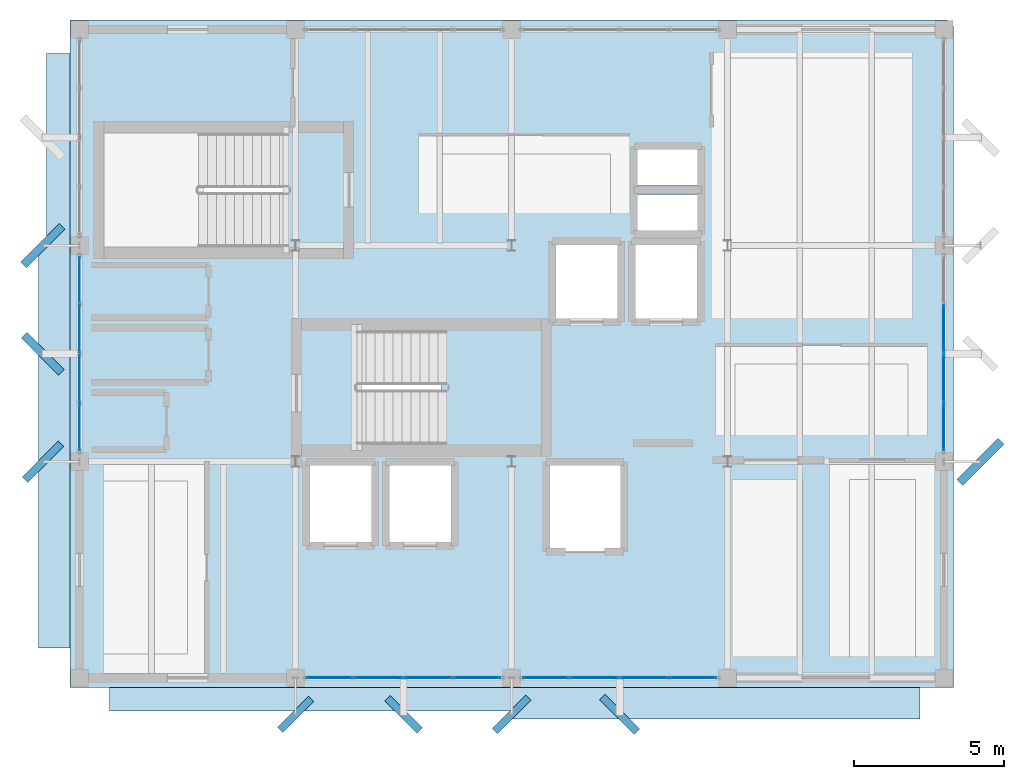
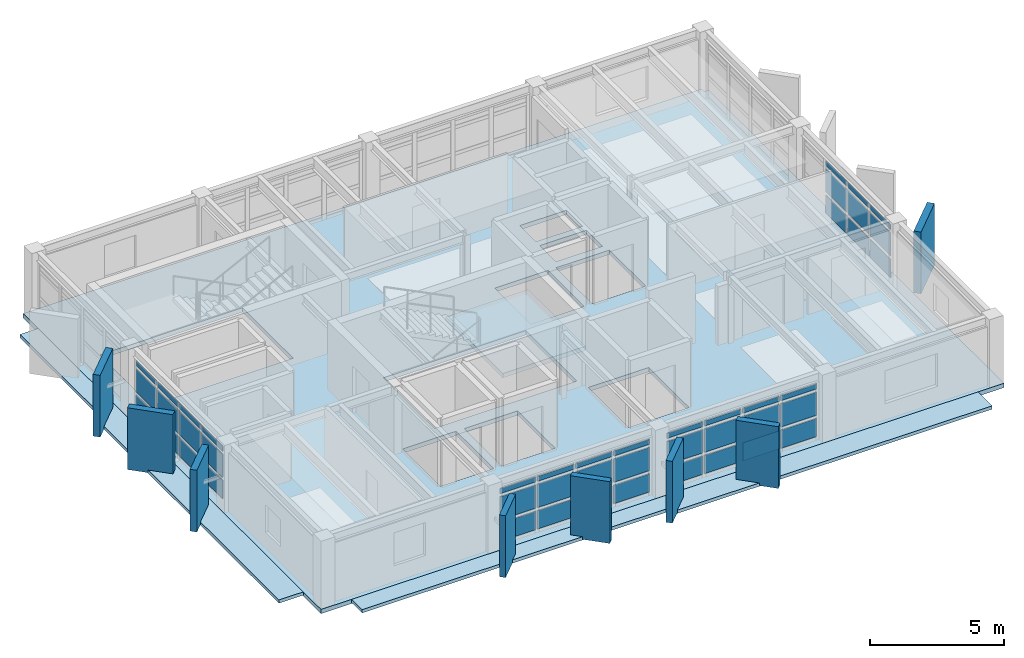
# One storey, part 9 of 15: 53 plates, 4 slabs, 5 elements without a shape of their own.
"""IFC4 building model written with IfcOpenShell, lengths in metres."""

from ifc_helpers import new_model, si_unit, direction, frame, origin, origin_2d, place, context, subcontext, project, spatial, polyline, rectangle, outline, extrude, material, layer, layer_set, type_object, element, aggregate, save


model = new_model("IFC4")

# Units and contexts
model_context = context("Model", 3, precision=1e-05, world=origin(), true_north=direction((0.0, 1.0)))
body_context = subcontext(model_context, "Body", "Model", "MODEL_VIEW")
ifc_project = project(units=[si_unit("LENGTHUNIT", "METRE"), si_unit("AREAUNIT", "SQUARE_METRE"), si_unit("VOLUMEUNIT", "CUBIC_METRE"), si_unit("PLANEANGLEUNIT", "RADIAN"), si_unit("MASSUNIT", "GRAM", prefix="KILO")], contexts=[model_context])

# Site, building, storey
site_placement = place(None, origin())
site = spatial("IfcSite", under=ifc_project, at=site_placement, CompositionType="ELEMENT")
building_placement = place(site_placement, origin())
building = spatial("IfcBuilding", under=site, at=building_placement, Name="Kandorven Conservatory and Botanical Research Centre", CompositionType="ELEMENT")
storey_placement = place(building_placement, frame((0.0, 0.0, 56.10009765625)))
storey = spatial("IfcBuildingStorey", under=building, at=storey_placement, Name="L14", CompositionType="ELEMENT", Elevation=56.10009765625)

# Curtain wall, plates
ifc_material_1 = material(Name="Bronze anodised thermally broken aluminium", Category="aluminium")
ifc_layer_1 = layer(ifc_material_1, 0.179931640625)
ifc_layer_set_1 = layer_set([ifc_layer_1], Name="Bronze anodised thermally broken aluminium")
curtain_wall_type = type_object("IfcCurtainWallType", Name="CW_Unitised", PredefinedType="USERDEFINED", material=ifc_layer_set_1)
curtain_wall_1_placement = place(storey_placement, origin())
curtain_wall_1 = element("IfcCurtainWall", 1, at=curtain_wall_1_placement, inside=storey, type_object=curtain_wall_type, Name="Tower laboratory curtain wall CW-TWR-S-L14-2", ObjectType="UNITISED GLAZING", PredefinedType="USERDEFINED")
ifc_material_2 = material(Name="Double-glazed solar-control low-E glass", Category="glass")
ifc_layer_2 = layer(ifc_material_2, 0.028076171875)
ifc_layer_set_2 = layer_set([ifc_layer_2], Name="Double-glazed solar-control low-E glass")
plate_type_1 = type_object("IfcPlateType", Name="CW_Panel", PredefinedType="CURTAIN_PANEL", material=ifc_layer_set_2)
plate_1_placement = place(storey_placement, frame((14.344970703125, 6.0, 0.14990234375), z_axis=(0.0, 0.0, 1.0), x_axis=(1.0, 0.0, 0.0)))
plate_1 = element("IfcPlate", 2, at=plate_1_placement, type_object=plate_type_1, Name="CW-01 panel 1.1", PredefinedType="CURTAIN_PANEL", context=body_context, shape_type="SweptSolid", body=[
    extrude(rectangle(XDim=1.530029296875, YDim=0.028076171875, at=origin_2d()), origin(), (0.0, 0.0, 1.0), 0.824951171875),
])
plate_2_placement = place(storey_placement, frame((14.344970703125, 6.0, 1.125), z_axis=(0.0, 0.0, 1.0), x_axis=(1.0, 0.0, 0.0)))
plate_2 = element("IfcPlate", 3, at=plate_2_placement, type_object=plate_type_1, Name="CW-01 panel 1.2", PredefinedType="CURTAIN_PANEL", context=body_context, shape_type="SweptSolid", body=[
    extrude(rectangle(XDim=1.530029296875, YDim=0.028076171875, at=origin_2d()), origin(), (0.0, 0.0, 1.0), 1.050048828125),
])
plate_3_placement = place(storey_placement, frame((14.344970703125, 6.0, 2.32470703125), z_axis=(0.0, 0.0, 1.0), x_axis=(1.0, 0.0, 0.0)))
plate_3 = element("IfcPlate", 4, at=plate_3_placement, type_object=plate_type_1, Name="CW-01 panel 1.3", PredefinedType="CURTAIN_PANEL", context=body_context, shape_type="SweptSolid", body=[
    extrude(rectangle(XDim=1.530029296875, YDim=0.028076171875, at=origin_2d()), origin(), (0.0, 0.0, 1.0), 0.219970703125),
])
plate_4_placement = place(storey_placement, frame((15.97509765625, 6.0, 0.14990234375), z_axis=(0.0, 0.0, 1.0), x_axis=(1.0, 0.0, 0.0)))
plate_4 = element("IfcPlate", 5, at=plate_4_placement, type_object=plate_type_1, Name="CW-01 panel 2.1", PredefinedType="CURTAIN_PANEL", context=body_context, shape_type="SweptSolid", body=[
    extrude(rectangle(XDim=1.570068359375, YDim=0.028076171875, at=origin_2d()), origin(), (0.0, 0.0, 1.0), 0.824951171875),
])
plate_5_placement = place(storey_placement, frame((15.97509765625, 6.0, 1.125), z_axis=(0.0, 0.0, 1.0), x_axis=(1.0, 0.0, 0.0)))
plate_5 = element("IfcPlate", 6, at=plate_5_placement, type_object=plate_type_1, Name="CW-01 panel 2.2", PredefinedType="CURTAIN_PANEL", context=body_context, shape_type="SweptSolid", body=[
    extrude(rectangle(XDim=1.570068359375, YDim=0.028076171875, at=origin_2d()), origin(), (0.0, 0.0, 1.0), 1.050048828125),
])
plate_6_placement = place(storey_placement, frame((15.97509765625, 6.0, 2.32470703125), z_axis=(0.0, 0.0, 1.0), x_axis=(1.0, 0.0, 0.0)))
plate_6 = element("IfcPlate", 7, at=plate_6_placement, type_object=plate_type_1, Name="CW-01 panel 2.3", PredefinedType="CURTAIN_PANEL", context=body_context, shape_type="SweptSolid", body=[
    extrude(rectangle(XDim=1.570068359375, YDim=0.028076171875, at=origin_2d()), origin(), (0.0, 0.0, 1.0), 0.219970703125),
])
plate_7_placement = place(storey_placement, frame((17.625, 6.0, 0.14990234375), z_axis=(0.0, 0.0, 1.0), x_axis=(1.0, 0.0, 0.0)))
plate_7 = element("IfcPlate", 8, at=plate_7_placement, type_object=plate_type_1, Name="CW-01 panel 3.1", PredefinedType="CURTAIN_PANEL", context=body_context, shape_type="SweptSolid", body=[
    extrude(rectangle(XDim=1.570068359375, YDim=0.028076171875, at=origin_2d()), origin(), (0.0, 0.0, 1.0), 0.824951171875),
])
plate_8_placement = place(storey_placement, frame((17.625, 6.0, 1.125), z_axis=(0.0, 0.0, 1.0), x_axis=(1.0, 0.0, 0.0)))
plate_8 = element("IfcPlate", 9, at=plate_8_placement, type_object=plate_type_1, Name="CW-01 panel 3.2", PredefinedType="CURTAIN_PANEL", context=body_context, shape_type="SweptSolid", body=[
    extrude(rectangle(XDim=1.570068359375, YDim=0.028076171875, at=origin_2d()), origin(), (0.0, 0.0, 1.0), 1.050048828125),
])
plate_9_placement = place(storey_placement, frame((17.625, 6.0, 2.32470703125), z_axis=(0.0, 0.0, 1.0), x_axis=(1.0, 0.0, 0.0)))
plate_9 = element("IfcPlate", 10, at=plate_9_placement, type_object=plate_type_1, Name="CW-01 panel 3.3", PredefinedType="CURTAIN_PANEL", context=body_context, shape_type="SweptSolid", body=[
    extrude(rectangle(XDim=1.570068359375, YDim=0.028076171875, at=origin_2d()), origin(), (0.0, 0.0, 1.0), 0.219970703125),
])
plate_10_placement = place(storey_placement, frame((19.2548828125, 6.0, 0.14990234375), z_axis=(0.0, 0.0, 1.0), x_axis=(1.0, 0.0, 0.0)))
plate_10 = element("IfcPlate", 11, at=plate_10_placement, type_object=plate_type_1, Name="CW-01 panel 4.1", PredefinedType="CURTAIN_PANEL", context=body_context, shape_type="SweptSolid", body=[
    extrude(rectangle(XDim=1.530029296875, YDim=0.028076171875, at=origin_2d()), origin(), (0.0, 0.0, 1.0), 0.824951171875),
])
plate_11_placement = place(storey_placement, frame((19.2548828125, 6.0, 1.125), z_axis=(0.0, 0.0, 1.0), x_axis=(1.0, 0.0, 0.0)))
plate_11 = element("IfcPlate", 12, at=plate_11_placement, type_object=plate_type_1, Name="CW-01 panel 4.2", PredefinedType="CURTAIN_PANEL", context=body_context, shape_type="SweptSolid", body=[
    extrude(rectangle(XDim=1.530029296875, YDim=0.028076171875, at=origin_2d()), origin(), (0.0, 0.0, 1.0), 1.050048828125),
])
plate_12_placement = place(storey_placement, frame((19.2548828125, 6.0, 2.32470703125), z_axis=(0.0, 0.0, 1.0), x_axis=(1.0, 0.0, 0.0)))
plate_12 = element("IfcPlate", 13, at=plate_12_placement, type_object=plate_type_1, Name="CW-01 panel 4.3", PredefinedType="CURTAIN_PANEL", context=body_context, shape_type="SweptSolid", body=[
    extrude(rectangle(XDim=1.530029296875, YDim=0.028076171875, at=origin_2d()), origin(), (0.0, 0.0, 1.0), 0.219970703125),
])
aggregate(curtain_wall_1, [plate_1, plate_2, plate_3, plate_4, plate_5, plate_6, plate_7, plate_8, plate_9, plate_10, plate_11, plate_12])

curtain_wall_2_placement = place(storey_placement, origin())
curtain_wall_2 = element("IfcCurtainWall", 14, at=curtain_wall_2_placement, inside=storey, type_object=curtain_wall_type, Name="Tower laboratory curtain wall CW-TWR-S-L14-3", ObjectType="UNITISED GLAZING", PredefinedType="USERDEFINED")
plate_13_placement = place(storey_placement, frame((21.544921875, 6.0, 0.14990234375), z_axis=(0.0, 0.0, 1.0), x_axis=(1.0, 0.0, 0.0)))
plate_13 = element("IfcPlate", 15, at=plate_13_placement, type_object=plate_type_1, Name="CW-01 panel 1.1", PredefinedType="CURTAIN_PANEL", context=body_context, shape_type="SweptSolid", body=[
    extrude(rectangle(XDim=1.530029296875, YDim=0.028076171875, at=origin_2d()), origin(), (0.0, 0.0, 1.0), 0.824951171875),
])
plate_14_placement = place(storey_placement, frame((21.544921875, 6.0, 1.125), z_axis=(0.0, 0.0, 1.0), x_axis=(1.0, 0.0, 0.0)))
plate_14 = element("IfcPlate", 16, at=plate_14_placement, type_object=plate_type_1, Name="CW-01 panel 1.2", PredefinedType="CURTAIN_PANEL", context=body_context, shape_type="SweptSolid", body=[
    extrude(rectangle(XDim=1.530029296875, YDim=0.028076171875, at=origin_2d()), origin(), (0.0, 0.0, 1.0), 1.050048828125),
])
plate_15_placement = place(storey_placement, frame((21.544921875, 6.0, 2.32470703125), z_axis=(0.0, 0.0, 1.0), x_axis=(1.0, 0.0, 0.0)))
plate_15 = element("IfcPlate", 17, at=plate_15_placement, type_object=plate_type_1, Name="CW-01 panel 1.3", PredefinedType="CURTAIN_PANEL", context=body_context, shape_type="SweptSolid", body=[
    extrude(rectangle(XDim=1.530029296875, YDim=0.028076171875, at=origin_2d()), origin(), (0.0, 0.0, 1.0), 0.219970703125),
])
plate_16_placement = place(storey_placement, frame((23.175048828125, 6.0, 0.14990234375), z_axis=(0.0, 0.0, 1.0), x_axis=(1.0, 0.0, 0.0)))
plate_16 = element("IfcPlate", 18, at=plate_16_placement, type_object=plate_type_1, Name="CW-01 panel 2.1", PredefinedType="CURTAIN_PANEL", context=body_context, shape_type="SweptSolid", body=[
    extrude(rectangle(XDim=1.570068359375, YDim=0.028076171875, at=origin_2d()), origin(), (0.0, 0.0, 1.0), 0.824951171875),
])
plate_17_placement = place(storey_placement, frame((23.175048828125, 6.0, 1.125), z_axis=(0.0, 0.0, 1.0), x_axis=(1.0, 0.0, 0.0)))
plate_17 = element("IfcPlate", 19, at=plate_17_placement, type_object=plate_type_1, Name="CW-01 panel 2.2", PredefinedType="CURTAIN_PANEL", context=body_context, shape_type="SweptSolid", body=[
    extrude(rectangle(XDim=1.570068359375, YDim=0.028076171875, at=origin_2d()), origin(), (0.0, 0.0, 1.0), 1.050048828125),
])
plate_18_placement = place(storey_placement, frame((23.175048828125, 6.0, 2.32470703125), z_axis=(0.0, 0.0, 1.0), x_axis=(1.0, 0.0, 0.0)))
plate_18 = element("IfcPlate", 20, at=plate_18_placement, type_object=plate_type_1, Name="CW-01 panel 2.3", PredefinedType="CURTAIN_PANEL", context=body_context, shape_type="SweptSolid", body=[
    extrude(rectangle(XDim=1.570068359375, YDim=0.028076171875, at=origin_2d()), origin(), (0.0, 0.0, 1.0), 0.219970703125),
])
plate_19_placement = place(storey_placement, frame((24.824951171875, 6.0, 0.14990234375), z_axis=(0.0, 0.0, 1.0), x_axis=(1.0, 0.0, 0.0)))
plate_19 = element("IfcPlate", 21, at=plate_19_placement, type_object=plate_type_1, Name="CW-01 panel 3.1", PredefinedType="CURTAIN_PANEL", context=body_context, shape_type="SweptSolid", body=[
    extrude(rectangle(XDim=1.570068359375, YDim=0.028076171875, at=origin_2d()), origin(), (0.0, 0.0, 1.0), 0.824951171875),
])
plate_20_placement = place(storey_placement, frame((24.824951171875, 6.0, 1.125), z_axis=(0.0, 0.0, 1.0), x_axis=(1.0, 0.0, 0.0)))
plate_20 = element("IfcPlate", 22, at=plate_20_placement, type_object=plate_type_1, Name="CW-01 panel 3.2", PredefinedType="CURTAIN_PANEL", context=body_context, shape_type="SweptSolid", body=[
    extrude(rectangle(XDim=1.570068359375, YDim=0.028076171875, at=origin_2d()), origin(), (0.0, 0.0, 1.0), 1.050048828125),
])
plate_21_placement = place(storey_placement, frame((24.824951171875, 6.0, 2.32470703125), z_axis=(0.0, 0.0, 1.0), x_axis=(1.0, 0.0, 0.0)))
plate_21 = element("IfcPlate", 23, at=plate_21_placement, type_object=plate_type_1, Name="CW-01 panel 3.3", PredefinedType="CURTAIN_PANEL", context=body_context, shape_type="SweptSolid", body=[
    extrude(rectangle(XDim=1.570068359375, YDim=0.028076171875, at=origin_2d()), origin(), (0.0, 0.0, 1.0), 0.219970703125),
])
plate_22_placement = place(storey_placement, frame((26.455078125, 6.0, 0.14990234375), z_axis=(0.0, 0.0, 1.0), x_axis=(1.0, 0.0, 0.0)))
plate_22 = element("IfcPlate", 24, at=plate_22_placement, type_object=plate_type_1, Name="CW-01 panel 4.1", PredefinedType="CURTAIN_PANEL", context=body_context, shape_type="SweptSolid", body=[
    extrude(rectangle(XDim=1.530029296875, YDim=0.028076171875, at=origin_2d()), origin(), (0.0, 0.0, 1.0), 0.824951171875),
])
plate_23_placement = place(storey_placement, frame((26.455078125, 6.0, 1.125), z_axis=(0.0, 0.0, 1.0), x_axis=(1.0, 0.0, 0.0)))
plate_23 = element("IfcPlate", 25, at=plate_23_placement, type_object=plate_type_1, Name="CW-01 panel 4.2", PredefinedType="CURTAIN_PANEL", context=body_context, shape_type="SweptSolid", body=[
    extrude(rectangle(XDim=1.530029296875, YDim=0.028076171875, at=origin_2d()), origin(), (0.0, 0.0, 1.0), 1.050048828125),
])
plate_24_placement = place(storey_placement, frame((26.455078125, 6.0, 2.32470703125), z_axis=(0.0, 0.0, 1.0), x_axis=(1.0, 0.0, 0.0)))
plate_24 = element("IfcPlate", 26, at=plate_24_placement, type_object=plate_type_1, Name="CW-01 panel 4.3", PredefinedType="CURTAIN_PANEL", context=body_context, shape_type="SweptSolid", body=[
    extrude(rectangle(XDim=1.530029296875, YDim=0.028076171875, at=origin_2d()), origin(), (0.0, 0.0, 1.0), 0.219970703125),
])
aggregate(curtain_wall_2, [plate_13, plate_14, plate_15, plate_16, plate_17, plate_18, plate_19, plate_20, plate_21, plate_22, plate_23, plate_24])

curtain_wall_3_placement = place(storey_placement, origin())
curtain_wall_3 = element("IfcCurtainWall", 27, at=curtain_wall_3_placement, inside=storey, type_object=curtain_wall_type, Name="Tower laboratory curtain wall CW-TWR-W-L14-2", ObjectType="UNITISED GLAZING", PredefinedType="USERDEFINED")
plate_25_placement = place(storey_placement, frame((6.0, 14.344970703125, 0.14990234375), z_axis=(0.0, 0.0, 1.0), x_axis=(0.0, 1.0, 0.0)))
plate_25 = element("IfcPlate", 28, at=plate_25_placement, type_object=plate_type_1, Name="CW-01 panel 1.1", PredefinedType="CURTAIN_PANEL", context=body_context, shape_type="SweptSolid", body=[
    extrude(rectangle(XDim=1.530029296875, YDim=0.028076171875, at=origin_2d()), origin(), (0.0, 0.0, 1.0), 0.824951171875),
])
plate_26_placement = place(storey_placement, frame((6.0, 14.344970703125, 1.125), z_axis=(0.0, 0.0, 1.0), x_axis=(0.0, 1.0, 0.0)))
plate_26 = element("IfcPlate", 29, at=plate_26_placement, type_object=plate_type_1, Name="CW-01 panel 1.2", PredefinedType="CURTAIN_PANEL", context=body_context, shape_type="SweptSolid", body=[
    extrude(rectangle(XDim=1.530029296875, YDim=0.028076171875, at=origin_2d()), origin(), (0.0, 0.0, 1.0), 1.050048828125),
])
plate_27_placement = place(storey_placement, frame((6.0, 14.344970703125, 2.32470703125), z_axis=(0.0, 0.0, 1.0), x_axis=(0.0, 1.0, 0.0)))
plate_27 = element("IfcPlate", 30, at=plate_27_placement, type_object=plate_type_1, Name="CW-01 panel 1.3", PredefinedType="CURTAIN_PANEL", context=body_context, shape_type="SweptSolid", body=[
    extrude(rectangle(XDim=1.530029296875, YDim=0.028076171875, at=origin_2d()), origin(), (0.0, 0.0, 1.0), 0.219970703125),
])
plate_28_placement = place(storey_placement, frame((6.0, 15.97509765625, 0.14990234375), z_axis=(0.0, 0.0, 1.0), x_axis=(0.0, 1.0, 0.0)))
plate_28 = element("IfcPlate", 31, at=plate_28_placement, type_object=plate_type_1, Name="CW-01 panel 2.1", PredefinedType="CURTAIN_PANEL", context=body_context, shape_type="SweptSolid", body=[
    extrude(rectangle(XDim=1.570068359375, YDim=0.028076171875, at=origin_2d()), origin(), (0.0, 0.0, 1.0), 0.824951171875),
])
plate_29_placement = place(storey_placement, frame((6.0, 15.97509765625, 1.125), z_axis=(0.0, 0.0, 1.0), x_axis=(0.0, 1.0, 0.0)))
plate_29 = element("IfcPlate", 32, at=plate_29_placement, type_object=plate_type_1, Name="CW-01 panel 2.2", PredefinedType="CURTAIN_PANEL", context=body_context, shape_type="SweptSolid", body=[
    extrude(rectangle(XDim=1.570068359375, YDim=0.028076171875, at=origin_2d()), origin(), (0.0, 0.0, 1.0), 1.050048828125),
])
plate_30_placement = place(storey_placement, frame((6.0, 15.97509765625, 2.32470703125), z_axis=(0.0, 0.0, 1.0), x_axis=(0.0, 1.0, 0.0)))
plate_30 = element("IfcPlate", 33, at=plate_30_placement, type_object=plate_type_1, Name="CW-01 panel 2.3", PredefinedType="CURTAIN_PANEL", context=body_context, shape_type="SweptSolid", body=[
    extrude(rectangle(XDim=1.570068359375, YDim=0.028076171875, at=origin_2d()), origin(), (0.0, 0.0, 1.0), 0.219970703125),
])
plate_31_placement = place(storey_placement, frame((6.0, 17.625, 0.14990234375), z_axis=(0.0, 0.0, 1.0), x_axis=(0.0, 1.0, 0.0)))
plate_31 = element("IfcPlate", 34, at=plate_31_placement, type_object=plate_type_1, Name="CW-01 panel 3.1", PredefinedType="CURTAIN_PANEL", context=body_context, shape_type="SweptSolid", body=[
    extrude(rectangle(XDim=1.570068359375, YDim=0.028076171875, at=origin_2d()), origin(), (0.0, 0.0, 1.0), 0.824951171875),
])
plate_32_placement = place(storey_placement, frame((6.0, 17.625, 1.125), z_axis=(0.0, 0.0, 1.0), x_axis=(0.0, 1.0, 0.0)))
plate_32 = element("IfcPlate", 35, at=plate_32_placement, type_object=plate_type_1, Name="CW-01 panel 3.2", PredefinedType="CURTAIN_PANEL", context=body_context, shape_type="SweptSolid", body=[
    extrude(rectangle(XDim=1.570068359375, YDim=0.028076171875, at=origin_2d()), origin(), (0.0, 0.0, 1.0), 1.050048828125),
])
plate_33_placement = place(storey_placement, frame((6.0, 17.625, 2.32470703125), z_axis=(0.0, 0.0, 1.0), x_axis=(0.0, 1.0, 0.0)))
plate_33 = element("IfcPlate", 36, at=plate_33_placement, type_object=plate_type_1, Name="CW-01 panel 3.3", PredefinedType="CURTAIN_PANEL", context=body_context, shape_type="SweptSolid", body=[
    extrude(rectangle(XDim=1.570068359375, YDim=0.028076171875, at=origin_2d()), origin(), (0.0, 0.0, 1.0), 0.219970703125),
])
plate_34_placement = place(storey_placement, frame((6.0, 19.2548828125, 0.14990234375), z_axis=(0.0, 0.0, 1.0), x_axis=(0.0, 1.0, 0.0)))
plate_34 = element("IfcPlate", 37, at=plate_34_placement, type_object=plate_type_1, Name="CW-01 panel 4.1", PredefinedType="CURTAIN_PANEL", context=body_context, shape_type="SweptSolid", body=[
    extrude(rectangle(XDim=1.530029296875, YDim=0.028076171875, at=origin_2d()), origin(), (0.0, 0.0, 1.0), 0.824951171875),
])
plate_35_placement = place(storey_placement, frame((6.0, 19.2548828125, 1.125), z_axis=(0.0, 0.0, 1.0), x_axis=(0.0, 1.0, 0.0)))
plate_35 = element("IfcPlate", 38, at=plate_35_placement, type_object=plate_type_1, Name="CW-01 panel 4.2", PredefinedType="CURTAIN_PANEL", context=body_context, shape_type="SweptSolid", body=[
    extrude(rectangle(XDim=1.530029296875, YDim=0.028076171875, at=origin_2d()), origin(), (0.0, 0.0, 1.0), 1.050048828125),
])
plate_36_placement = place(storey_placement, frame((6.0, 19.2548828125, 2.32470703125), z_axis=(0.0, 0.0, 1.0), x_axis=(0.0, 1.0, 0.0)))
plate_36 = element("IfcPlate", 39, at=plate_36_placement, type_object=plate_type_1, Name="CW-01 panel 4.3", PredefinedType="CURTAIN_PANEL", context=body_context, shape_type="SweptSolid", body=[
    extrude(rectangle(XDim=1.530029296875, YDim=0.028076171875, at=origin_2d()), origin(), (0.0, 0.0, 1.0), 0.219970703125),
])
aggregate(curtain_wall_3, [plate_25, plate_26, plate_27, plate_28, plate_29, plate_30, plate_31, plate_32, plate_33, plate_34, plate_35, plate_36])

curtain_wall_4_placement = place(storey_placement, origin())
curtain_wall_4 = element("IfcCurtainWall", 40, at=curtain_wall_4_placement, inside=storey, type_object=curtain_wall_type, Name="Tower laboratory curtain wall CW-TWR-E-L14-2", ObjectType="UNITISED GLAZING", PredefinedType="USERDEFINED")
plate_37_placement = place(storey_placement, frame((34.800048828125, 14.344970703125, 0.14990234375), z_axis=(0.0, 0.0, 1.0), x_axis=(0.0, 1.0, 0.0)))
plate_37 = element("IfcPlate", 41, at=plate_37_placement, type_object=plate_type_1, Name="CW-01 panel 1.1", PredefinedType="CURTAIN_PANEL", context=body_context, shape_type="SweptSolid", body=[
    extrude(rectangle(XDim=1.530029296875, YDim=0.028076171875, at=origin_2d()), origin(), (0.0, 0.0, 1.0), 0.824951171875),
])
plate_38_placement = place(storey_placement, frame((34.800048828125, 14.344970703125, 1.125), z_axis=(0.0, 0.0, 1.0), x_axis=(0.0, 1.0, 0.0)))
plate_38 = element("IfcPlate", 42, at=plate_38_placement, type_object=plate_type_1, Name="CW-01 panel 1.2", PredefinedType="CURTAIN_PANEL", context=body_context, shape_type="SweptSolid", body=[
    extrude(rectangle(XDim=1.530029296875, YDim=0.028076171875, at=origin_2d()), origin(), (0.0, 0.0, 1.0), 1.050048828125),
])
plate_39_placement = place(storey_placement, frame((34.800048828125, 14.344970703125, 2.32470703125), z_axis=(0.0, 0.0, 1.0), x_axis=(0.0, 1.0, 0.0)))
plate_39 = element("IfcPlate", 43, at=plate_39_placement, type_object=plate_type_1, Name="CW-01 panel 1.3", PredefinedType="CURTAIN_PANEL", context=body_context, shape_type="SweptSolid", body=[
    extrude(rectangle(XDim=1.530029296875, YDim=0.028076171875, at=origin_2d()), origin(), (0.0, 0.0, 1.0), 0.219970703125),
])
plate_40_placement = place(storey_placement, frame((34.800048828125, 15.97509765625, 0.14990234375), z_axis=(0.0, 0.0, 1.0), x_axis=(0.0, 1.0, 0.0)))
plate_40 = element("IfcPlate", 44, at=plate_40_placement, type_object=plate_type_1, Name="CW-01 panel 2.1", PredefinedType="CURTAIN_PANEL", context=body_context, shape_type="SweptSolid", body=[
    extrude(rectangle(XDim=1.570068359375, YDim=0.028076171875, at=origin_2d()), origin(), (0.0, 0.0, 1.0), 0.824951171875),
])
plate_41_placement = place(storey_placement, frame((34.800048828125, 15.97509765625, 1.125), z_axis=(0.0, 0.0, 1.0), x_axis=(0.0, 1.0, 0.0)))
plate_41 = element("IfcPlate", 45, at=plate_41_placement, type_object=plate_type_1, Name="CW-01 panel 2.2", PredefinedType="CURTAIN_PANEL", context=body_context, shape_type="SweptSolid", body=[
    extrude(rectangle(XDim=1.570068359375, YDim=0.028076171875, at=origin_2d()), origin(), (0.0, 0.0, 1.0), 1.050048828125),
])
plate_42_placement = place(storey_placement, frame((34.800048828125, 15.97509765625, 2.32470703125), z_axis=(0.0, 0.0, 1.0), x_axis=(0.0, 1.0, 0.0)))
plate_42 = element("IfcPlate", 46, at=plate_42_placement, type_object=plate_type_1, Name="CW-01 panel 2.3", PredefinedType="CURTAIN_PANEL", context=body_context, shape_type="SweptSolid", body=[
    extrude(rectangle(XDim=1.570068359375, YDim=0.028076171875, at=origin_2d()), origin(), (0.0, 0.0, 1.0), 0.219970703125),
])
plate_43_placement = place(storey_placement, frame((34.800048828125, 17.625, 0.14990234375), z_axis=(0.0, 0.0, 1.0), x_axis=(0.0, 1.0, 0.0)))
plate_43 = element("IfcPlate", 47, at=plate_43_placement, type_object=plate_type_1, Name="CW-01 panel 3.1", PredefinedType="CURTAIN_PANEL", context=body_context, shape_type="SweptSolid", body=[
    extrude(rectangle(XDim=1.570068359375, YDim=0.028076171875, at=origin_2d()), origin(), (0.0, 0.0, 1.0), 0.824951171875),
])
plate_44_placement = place(storey_placement, frame((34.800048828125, 17.625, 1.125), z_axis=(0.0, 0.0, 1.0), x_axis=(0.0, 1.0, 0.0)))
plate_44 = element("IfcPlate", 48, at=plate_44_placement, type_object=plate_type_1, Name="CW-01 panel 3.2", PredefinedType="CURTAIN_PANEL", context=body_context, shape_type="SweptSolid", body=[
    extrude(rectangle(XDim=1.570068359375, YDim=0.028076171875, at=origin_2d()), origin(), (0.0, 0.0, 1.0), 1.050048828125),
])
plate_45_placement = place(storey_placement, frame((34.800048828125, 17.625, 2.32470703125), z_axis=(0.0, 0.0, 1.0), x_axis=(0.0, 1.0, 0.0)))
plate_45 = element("IfcPlate", 49, at=plate_45_placement, type_object=plate_type_1, Name="CW-01 panel 3.3", PredefinedType="CURTAIN_PANEL", context=body_context, shape_type="SweptSolid", body=[
    extrude(rectangle(XDim=1.570068359375, YDim=0.028076171875, at=origin_2d()), origin(), (0.0, 0.0, 1.0), 0.219970703125),
])
aggregate(curtain_wall_4, [plate_37, plate_38, plate_39, plate_40, plate_41, plate_42, plate_43, plate_44, plate_45])

# Plates
ifc_material_3 = material(Name="Precast concrete C40/50 (M50)", Category="concrete")
ifc_layer_3 = layer(ifc_material_3, 0.2451171875)
ifc_layer_set_3 = layer_set([ifc_layer_3], Name="Precast concrete C40/50 (M50)")
plate_type_2 = type_object("IfcPlateType", Name="Fin_BF-02", PredefinedType="USERDEFINED", material=ifc_layer_set_3)
plate_46_placement = place(storey_placement, frame((13.199951171875, 4.780029296875, -0.1201171875), z_axis=(0.0, 0.0, 1.0), x_axis=(0.707106781187, 0.707106781187, 0.0)))
element("IfcPlate", 50, at=plate_46_placement, inside=storey, type_object=plate_type_2, Name="Sculpted board-marked concrete brise-soleil fin BF-02", ObjectType="SOLAR FIN", PredefinedType="USERDEFINED", context=body_context, shape_type="SweptSolid", body=[
    extrude(rectangle(XDim=1.4599609375, YDim=0.2451171875, at=origin_2d()), origin(), (0.0, 0.0, 1.0), 2.81494140625),
])
ifc_material_4 = material(Name="Precast concrete C40/50 (M50)", Category="concrete")
ifc_layer_4 = layer(ifc_material_4, 0.25)
ifc_layer_set_4 = layer_set([ifc_layer_4], Name="Precast concrete C40/50 (M50)")
plate_type_3 = type_object("IfcPlateType", Name="Fin_BF-03", PredefinedType="USERDEFINED", material=ifc_layer_set_4)
plate_47_placement = place(storey_placement, frame((16.800048828125, 4.780029296875, -0.1201171875), z_axis=(0.0, 0.0, 1.0), x_axis=(-0.707106781187, 0.707106781187, 0.0)))
element("IfcPlate", 51, at=plate_47_placement, inside=storey, type_object=plate_type_3, Name="Sculpted board-marked concrete brise-soleil fin BF-03", ObjectType="SOLAR FIN", PredefinedType="USERDEFINED", context=body_context, shape_type="SweptSolid", body=[
    extrude(rectangle(XDim=1.52001953125, YDim=0.25, at=origin_2d()), origin(), (0.0, 0.0, 1.0), 2.81494140625),
])
ifc_material_5 = material(Name="Precast concrete C40/50 (M50)", Category="concrete")
ifc_layer_5 = layer(ifc_material_5, 0.2548828125)
ifc_layer_set_5 = layer_set([ifc_layer_5], Name="Precast concrete C40/50 (M50)")
plate_type_4 = type_object("IfcPlateType", Name="Fin_BF-04", PredefinedType="USERDEFINED", material=ifc_layer_set_5)
plate_48_placement = place(storey_placement, frame((20.39990234375, 4.780029296875, -0.1201171875), z_axis=(0.0, 0.0, 1.0), x_axis=(0.707106781187, 0.707106781187, 0.0)))
element("IfcPlate", 52, at=plate_48_placement, inside=storey, type_object=plate_type_4, Name="Sculpted board-marked concrete brise-soleil fin BF-04", ObjectType="SOLAR FIN", PredefinedType="USERDEFINED", context=body_context, shape_type="SweptSolid", body=[
    extrude(rectangle(XDim=1.580078125, YDim=0.2548828125, at=origin_2d()), origin(), (0.0, 0.0, 1.0), 2.81494140625),
])
ifc_material_6 = material(Name="Precast concrete C40/50 (M50)", Category="concrete")
ifc_layer_6 = layer(ifc_material_6, 0.260009765625)
ifc_layer_set_6 = layer_set([ifc_layer_6], Name="Precast concrete C40/50 (M50)")
plate_type_5 = type_object("IfcPlateType", Name="Fin_BF-05", PredefinedType="USERDEFINED", material=ifc_layer_set_6)
plate_49_placement = place(storey_placement, frame((24.0, 4.780029296875, -0.1201171875), z_axis=(0.0, 0.0, 1.0), x_axis=(-0.707106781187, 0.707106781187, 0.0)))
element("IfcPlate", 53, at=plate_49_placement, inside=storey, type_object=plate_type_5, Name="Sculpted board-marked concrete brise-soleil fin BF-05", ObjectType="SOLAR FIN", PredefinedType="USERDEFINED", context=body_context, shape_type="SweptSolid", body=[
    extrude(rectangle(XDim=1.639892578125, YDim=0.260009765625, at=origin_2d()), origin(), (0.0, 0.0, 1.0), 2.81494140625),
])
ifc_material_7 = material(Name="Precast concrete C40/50 (M50)", Category="concrete")
ifc_layer_7 = layer(ifc_material_7, 0.264892578125)
ifc_layer_set_7 = layer_set([ifc_layer_7], Name="Precast concrete C40/50 (M50)")
plate_type_6 = type_object("IfcPlateType", Name="Fin_BF-06", PredefinedType="USERDEFINED", material=ifc_layer_set_7)
plate_50_placement = place(storey_placement, frame((4.780029296875, 13.199951171875, -0.1201171875), z_axis=(0.0, 0.0, 1.0), x_axis=(0.707106781187, 0.707106781187, 0.0)))
element("IfcPlate", 54, at=plate_50_placement, inside=storey, type_object=plate_type_6, Name="Sculpted board-marked concrete brise-soleil fin BF-06", ObjectType="SOLAR FIN", PredefinedType="USERDEFINED", context=body_context, shape_type="SweptSolid", body=[
    extrude(rectangle(XDim=1.699951171875, YDim=0.264892578125, at=origin_2d()), origin(), (0.0, 0.0, 1.0), 2.81494140625),
])
ifc_material_8 = material(Name="Precast concrete C40/50 (M50)", Category="concrete")
ifc_layer_8 = layer(ifc_material_8, 0.27001953125)
ifc_layer_set_8 = layer_set([ifc_layer_8], Name="Precast concrete C40/50 (M50)")
plate_type_7 = type_object("IfcPlateType", Name="Fin_BF-07", PredefinedType="USERDEFINED", material=ifc_layer_set_8)
plate_51_placement = place(storey_placement, frame((4.780029296875, 16.800048828125, -0.1201171875), z_axis=(0.0, 0.0, 1.0), x_axis=(-0.707106781187, 0.707106781187, 0.0)))
element("IfcPlate", 55, at=plate_51_placement, inside=storey, type_object=plate_type_7, Name="Sculpted board-marked concrete brise-soleil fin BF-07", ObjectType="SOLAR FIN", PredefinedType="USERDEFINED", context=body_context, shape_type="SweptSolid", body=[
    extrude(rectangle(XDim=1.760009765625, YDim=0.27001953125, at=origin_2d()), origin(), (0.0, 0.0, 1.0), 2.81494140625),
])
ifc_material_9 = material(Name="Precast concrete C40/50 (M50)", Category="concrete")
ifc_layer_9 = layer(ifc_material_9, 0.27490234375)
ifc_layer_set_9 = layer_set([ifc_layer_9], Name="Precast concrete C40/50 (M50)")
plate_type_8 = type_object("IfcPlateType", Name="Fin_BF-08", PredefinedType="USERDEFINED", material=ifc_layer_set_9)
plate_52_placement = place(storey_placement, frame((4.780029296875, 20.39990234375, -0.1201171875), z_axis=(0.0, 0.0, 1.0), x_axis=(0.707106781187, 0.707106781187, 0.0)))
element("IfcPlate", 56, at=plate_52_placement, inside=storey, type_object=plate_type_8, Name="Sculpted board-marked concrete brise-soleil fin BF-08", ObjectType="SOLAR FIN", PredefinedType="USERDEFINED", context=body_context, shape_type="SweptSolid", body=[
    extrude(rectangle(XDim=1.820068359375, YDim=0.27490234375, at=origin_2d()), origin(), (0.0, 0.0, 1.0), 2.81494140625),
])
ifc_material_10 = material(Name="Precast concrete C40/50 (M50)", Category="concrete")
ifc_layer_10 = layer(ifc_material_10, 0.284912109375)
ifc_layer_set_10 = layer_set([ifc_layer_10], Name="Precast concrete C40/50 (M50)")
plate_type_9 = type_object("IfcPlateType", Name="Fin_BF-10", PredefinedType="USERDEFINED", material=ifc_layer_set_10)
plate_53_placement = place(storey_placement, frame((36.02001953125, 13.199951171875, -0.1201171875), z_axis=(0.0, 0.0, 1.0), x_axis=(0.707106781187, 0.707106781187, 0.0)))
element("IfcPlate", 57, at=plate_53_placement, inside=storey, type_object=plate_type_9, Name="Sculpted board-marked concrete brise-soleil fin BF-10", ObjectType="SOLAR FIN", PredefinedType="USERDEFINED", context=body_context, shape_type="SweptSolid", body=[
    extrude(rectangle(XDim=1.93994140625, YDim=0.284912109375, at=origin_2d()), origin(), (0.0, 0.0, 1.0), 2.81494140625),
])

# Slabs
ifc_material_11 = material(Name="Concrete C32/40 (M40)", Category="concrete")
ifc_layer_11 = layer(ifc_material_11, 0.195068359375)
ifc_layer_set_11 = layer_set([ifc_layer_11], Name="Concrete C32/40 (M40)")
slab_type_1 = type_object("IfcSlabType", Name="Slab_SL-11", PredefinedType="FLOOR", material=ifc_layer_set_11)
slab_1_placement = place(storey_placement, frame((0.0, 0.0, -0.195068359375)))
element("IfcSlab", 58, at=slab_1_placement, inside=storey, type_object=slab_type_1, Name="Tower floor slab L14", PredefinedType="FLOOR", context=body_context, shape_type="SweptSolid", body=[
    extrude(outline(polyline([(5.679931640625, 5.679931640625), (35.1201171875, 5.679931640625), (35.1201171875, 27.719970703125), (34.919921875, 27.719970703125), (34.919921875, 27.919921875), (5.679931640625, 27.919921875), (5.679931640625, 5.679931640625)]), holes=[polyline([(15.239990234375, 13.780029296875), (21.3798828125, 13.780029296875), (21.3798828125, 17.570068359375), (15.239990234375, 17.570068359375), (15.239990234375, 13.780029296875)]), polyline([(12.9599609375, 24.14990234375), (6.820068359375, 24.14990234375), (6.820068359375, 20.360107421875), (12.9599609375, 20.360107421875), (12.9599609375, 24.14990234375)]), polyline([(21.75, 17.85009765625), (24.050048828125, 17.85009765625), (24.050048828125, 20.550048828125), (21.75, 20.550048828125), (21.75, 17.85009765625)]), polyline([(24.39990234375, 17.85009765625), (26.699951171875, 17.85009765625), (26.699951171875, 20.550048828125), (24.39990234375, 20.550048828125), (24.39990234375, 17.85009765625)]), polyline([(13.550048828125, 10.39990234375), (15.85009765625, 10.39990234375), (15.85009765625, 13.199951171875), (13.550048828125, 13.199951171875), (13.550048828125, 10.39990234375)]), polyline([(16.199951171875, 10.39990234375), (18.5, 10.39990234375), (18.5, 13.199951171875), (16.199951171875, 13.199951171875), (16.199951171875, 10.39990234375)]), polyline([(21.550048828125, 10.199951171875), (24.14990234375, 10.199951171875), (24.14990234375, 13.199951171875), (21.550048828125, 13.199951171875), (21.550048828125, 10.199951171875)]), polyline([(24.60009765625, 20.89990234375), (26.60009765625, 20.89990234375), (26.60009765625, 22.10009765625), (24.60009765625, 22.10009765625), (24.60009765625, 20.89990234375)]), polyline([(24.60009765625, 22.39990234375), (26.60009765625, 22.39990234375), (26.60009765625, 23.60009765625), (24.60009765625, 23.60009765625), (24.60009765625, 22.39990234375)])]), origin(), (0.0, 0.0, 1.0), 0.195068359375),
])
ifc_material_12 = material(Name="Concrete C32/40 (M40)", Category="concrete")
ifc_layer_12 = layer(ifc_material_12, 0.14990234375)
ifc_layer_set_12 = layer_set([ifc_layer_12], Name="Concrete C32/40 (M40)")
slab_type_2 = type_object("IfcSlabType", Name="Slab_SL-15", PredefinedType="FLOOR", material=ifc_layer_set_12)
slab_2_placement = place(storey_placement, frame((0.0, 0.0, -0.150146484375)))
element("IfcSlab", 59, at=slab_2_placement, inside=storey, type_object=slab_type_2, Name="Tower south sculpted concrete solar-hood slab L14", PredefinedType="FLOOR", context=body_context, shape_type="SweptSolid", body=[
    extrude(outline(polyline([(7.0, 5.679931640625), (34.0, 5.679931640625), (34.0, 4.6298828125), (20.39990234375, 4.6298828125), (20.39990234375, 4.89990234375), (7.0, 4.89990234375), (7.0, 5.679931640625)])), origin(), (0.0, 0.0, 1.0), 0.150146484375),
])
slab_3_placement = place(storey_placement, frame((0.0, 0.0, -0.150146484375)))
element("IfcSlab", 60, at=slab_3_placement, inside=storey, type_object=slab_type_2, Name="Tower west sculpted concrete solar-hood slab L14", PredefinedType="FLOOR", context=body_context, shape_type="SweptSolid", body=[
    extrude(outline(polyline([(4.6298828125, 7.0), (5.679931640625, 7.0), (5.679931640625, 26.800048828125), (4.89990234375, 26.800048828125), (4.89990234375, 20.39990234375), (4.6298828125, 20.39990234375), (4.6298828125, 7.0)])), origin(), (0.0, 0.0, 1.0), 0.150146484375),
])

# Stair, slab
ifc_material_13 = material(Name="Concrete C32/40 (M40)", Category="concrete")
stair_type = type_object("IfcStairType", Name="Stair_1820", PredefinedType="HALF_TURN_STAIR", material=ifc_material_13)
stair_placement = place(storey_placement, origin())
stair = element("IfcStair", 61, at=stair_placement, inside=storey, type_object=stair_type, Name="L14 Tower Fire Stair ST-T1", PredefinedType="HALF_TURN_STAIR")
ifc_material_14 = material(Name="Concrete C32/40 (M40)", Category="concrete")
ifc_layer_13 = layer(ifc_material_14, 0.199951171875)
ifc_layer_set_13 = layer_set([ifc_layer_13], Name="Concrete C32/40 (M40)")
slab_type_3 = type_object("IfcSlabType", Name="StairLanding_200", PredefinedType="LANDING", material=ifc_layer_set_13)
slab_4_placement = place(storey_placement, frame((0.0, 0.0, 1.449951171875)))
slab_4 = element("IfcSlab", 62, at=slab_4_placement, type_object=slab_type_3, Name="ST-T1 landing 1", PredefinedType="LANDING", context=body_context, shape_type="SweptSolid", body=[
    extrude(outline(polyline([(18.0595703125, 13.5400390625), (21.6201171875, 13.5400390625), (21.6201171875, 17.81005859375), (18.0595703125, 17.81005859375), (18.0595703125, 13.5400390625)])), origin(), (0.0, 0.0, 1.0), 0.199951171875),
])
aggregate(stair, [slab_4])

save(model, "model.ifc")
